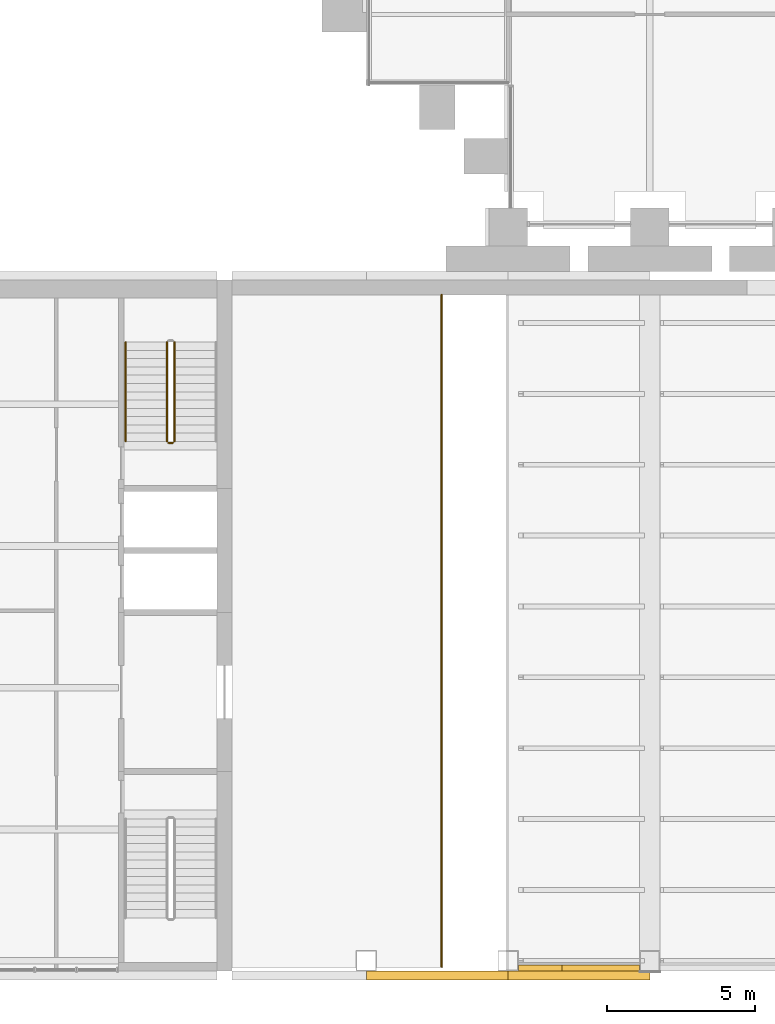
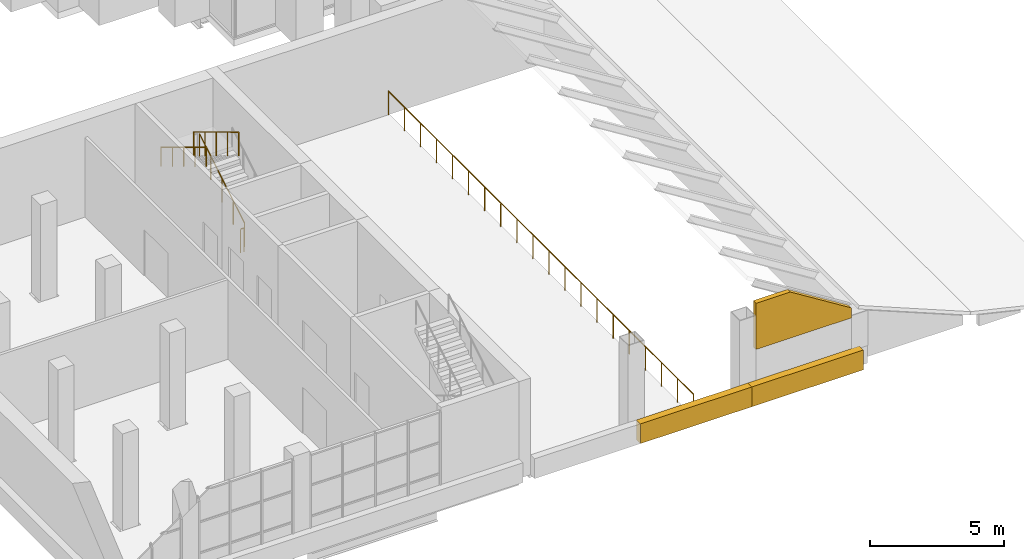
# One storey, part 27 of 32: 5 railings, 3 coverings.
"""IFC4 building model written with IfcOpenShell, lengths in metres."""

from ifc_helpers import new_model, si_unit, direction, frame, origin, origin_2d, place, context, subcontext, project, spatial, polyline, circle, outline, extrude, material, layer, layer_set, type_object, element, save


model = new_model("IFC4")

# Units and contexts
model_context = context("Model", 3, precision=1e-05, world=origin(), true_north=direction((0.0, 1.0)))
body_context = subcontext(model_context, "Body", "Model", "MODEL_VIEW")
ifc_project = project(units=[si_unit("LENGTHUNIT", "METRE"), si_unit("AREAUNIT", "SQUARE_METRE"), si_unit("VOLUMEUNIT", "CUBIC_METRE"), si_unit("PLANEANGLEUNIT", "RADIAN"), si_unit("MASSUNIT", "GRAM", prefix="KILO")], contexts=[model_context])

# Site, building, storey
site_placement = place(None, origin())
site = spatial("IfcSite", under=ifc_project, at=site_placement, CompositionType="ELEMENT")
building_placement = place(site_placement, origin())
building = spatial("IfcBuilding", under=site, at=building_placement, Name="Baori Bourse Tower", CompositionType="ELEMENT")
storey_placement = place(building_placement, frame((0.0, 0.0, 12.60009765625)))
storey = spatial("IfcBuildingStorey", under=building, at=storey_placement, Name="L01", CompositionType="ELEMENT", Elevation=12.60009765625)

# Covering
ifc_material_1 = material(Name="Pale anodised aluminium", Category="aluminium")
ifc_layer_1 = layer(ifc_material_1, 0.199951171875)
ifc_layer_set_1 = layer_set([ifc_layer_1], Name="Fascia metal band 200")
covering_type_1 = type_object("IfcCoveringType", Name="Fascia metal band 200", PredefinedType="CLADDING", material=ifc_layer_set_1)
covering_1_placement = place(storey_placement, frame((9.949951171875, -25.10009765625, 2.2998046875), z_axis=(0.0, 0.0, 1.0), x_axis=(1.0, 0.0, 0.0)))
element("IfcCovering", 1, at=covering_1_placement, inside=storey, type_object=covering_type_1, Name="wing/L01/fascia/001", PredefinedType="CLADDING", context=body_context, shape_type="SweptSolid", body=[
    extrude(outline(polyline([(0.0, 0.0), (4.10009765625, 0.0), (4.10009765625, 0.457763671875), (1.4736328125, 2.10009765625), (0.0, 2.10009765625), (0.0, 0.0)])), frame((0.0, 0.10009765625, 0.0), z_axis=(0.0, -1.0, 0.0), x_axis=(1.0, 0.0, 0.0)), (0.0, 0.0, 1.0), 0.199951171875),
])

# Railing
ifc_material_2 = material(Name="Painted steel S355", Category="steel")
railing_type_1 = type_object("IfcRailingType", Name="Gallery guard 1100", PredefinedType="GUARDRAIL", material=ifc_material_2)
railing_1_placement = place(storey_placement, frame((7.35009765625, -25.050048828125, 0.0)))
element("IfcRailing", 2, at=railing_1_placement, inside=storey, type_object=railing_type_1, Name="Gallery guard", PredefinedType="GUARDRAIL", context=body_context, shape_type="SweptSolid", body=[
    extrude(circle(Radius=0.02392578125, at=origin_2d()), frame((0.0, 0.0, 1.076171875), z_axis=(0.0, 1.0, 0.0), x_axis=(-1.0, 0.0, 0.0)), (0.0, 0.0, 1.0), 22.75),
    extrude(circle(Radius=0.02099609375, at=origin_2d()), origin(), (0.0, 0.0, 1.0), 1.052001953125),
    extrude(circle(Radius=0.02099609375, at=origin_2d()), frame((0.0, 1.197265625, 0.0)), (0.0, 0.0, 1.0), 1.052001953125),
    extrude(circle(Radius=0.02099609375, at=origin_2d()), frame((0.0, 2.394775390625, 0.0)), (0.0, 0.0, 1.0), 1.052001953125),
    extrude(circle(Radius=0.02099609375, at=origin_2d()), frame((0.0, 3.592041015625, 0.0)), (0.0, 0.0, 1.0), 1.052001953125),
    extrude(circle(Radius=0.02099609375, at=origin_2d()), frame((0.0, 4.78955078125, 0.0)), (0.0, 0.0, 1.0), 1.052001953125),
    extrude(circle(Radius=0.02099609375, at=origin_2d()), frame((0.0, 5.98681640625, 0.0)), (0.0, 0.0, 1.0), 1.052001953125),
    extrude(circle(Radius=0.02099609375, at=origin_2d()), frame((0.0, 7.184326171875, 0.0)), (0.0, 0.0, 1.0), 1.052001953125),
    extrude(circle(Radius=0.02099609375, at=origin_2d()), frame((0.0, 8.381591796875, 0.0)), (0.0, 0.0, 1.0), 1.052001953125),
    extrude(circle(Radius=0.02099609375, at=origin_2d()), frame((0.0, 9.578857421875, 0.0)), (0.0, 0.0, 1.0), 1.052001953125),
    extrude(circle(Radius=0.02099609375, at=origin_2d()), frame((0.0, 10.7763671875, 0.0)), (0.0, 0.0, 1.0), 1.052001953125),
    extrude(circle(Radius=0.02099609375, at=origin_2d()), frame((0.0, 11.9736328125, 0.0)), (0.0, 0.0, 1.0), 1.052001953125),
    extrude(circle(Radius=0.02099609375, at=origin_2d()), frame((0.0, 13.171142578125, 0.0)), (0.0, 0.0, 1.0), 1.052001953125),
    extrude(circle(Radius=0.02099609375, at=origin_2d()), frame((0.0, 14.368408203125, 0.0)), (0.0, 0.0, 1.0), 1.052001953125),
    extrude(circle(Radius=0.02099609375, at=origin_2d()), frame((0.0, 15.565673828125, 0.0)), (0.0, 0.0, 1.0), 1.052001953125),
    extrude(circle(Radius=0.02099609375, at=origin_2d()), frame((0.0, 16.76318359375, 0.0)), (0.0, 0.0, 1.0), 1.052001953125),
    extrude(circle(Radius=0.02099609375, at=origin_2d()), frame((0.0, 17.96044921875, 0.0)), (0.0, 0.0, 1.0), 1.052001953125),
    extrude(circle(Radius=0.02099609375, at=origin_2d()), frame((0.0, 19.157958984375, 0.0)), (0.0, 0.0, 1.0), 1.052001953125),
    extrude(circle(Radius=0.02099609375, at=origin_2d()), frame((0.0, 20.355224609375, 0.0)), (0.0, 0.0, 1.0), 1.052001953125),
    extrude(circle(Radius=0.02099609375, at=origin_2d()), frame((0.0, 21.552734375, 0.0)), (0.0, 0.0, 1.0), 1.052001953125),
    extrude(circle(Radius=0.02099609375, at=origin_2d()), frame((0.0, 22.75, 0.0)), (0.0, 0.0, 1.0), 1.052001953125),
])

# Coverings
ifc_material_3 = material(Name="Pale anodised aluminium", Category="aluminium")
ifc_layer_2 = layer(ifc_material_3, 0.300048828125)
ifc_layer_set_2 = layer_set([ifc_layer_2], Name="Pale metal band 900x300")
covering_type_2 = type_object("IfcCoveringType", Name="Pale metal band 900x300", PredefinedType="CLADDING", material=ifc_layer_set_2)
covering_2_placement = place(storey_placement, origin())
element("IfcCovering", 3, at=covering_2_placement, inside=storey, type_object=covering_type_2, Name="BAND", PredefinedType="CLADDING", context=body_context, shape_type="SweptSolid", body=[
    extrude(outline(polyline([(4.800048828125, -25.5), (9.60009765625, -25.5), (9.60009765625, -25.199951171875), (4.800048828125, -25.199951171875), (4.800048828125, -25.5)])), origin(), (0.0, 0.0, 1.0), 0.89990234375),
])
covering_3_placement = place(storey_placement, origin())
element("IfcCovering", 4, at=covering_3_placement, inside=storey, type_object=covering_type_2, Name="BAND", PredefinedType="CLADDING", context=body_context, shape_type="SweptSolid", body=[
    extrude(outline(polyline([(9.60009765625, -25.5), (14.39990234375, -25.5), (14.39990234375, -25.199951171875), (9.60009765625, -25.199951171875), (9.60009765625, -25.5)])), origin(), (0.0, 0.0, 1.0), 0.89990234375),
])

# Railings
ifc_material_4 = material(Name="Stainless steel AISI 316", Category="steel")
railing_type_2 = type_object("IfcRailingType", Name="Wing guard 1100", PredefinedType="GUARDRAIL", material=ifc_material_4)
railing_2_placement = place(storey_placement, frame((-1.699951171875, -7.260009765625, 0.169189453125)))
element("IfcRailing", 5, at=railing_2_placement, inside=storey, type_object=railing_type_2, Name="L01 W-STA stair guard 1", PredefinedType="GUARDRAIL", context=body_context, shape_type="SweptSolid", body=[
    extrude(circle(Radius=0.02392578125, at=origin_2d()), frame((0.0, 0.0, 1.076171875), z_axis=(0.0, 0.855836976705, 0.517245656632), x_axis=(-1.0, 0.0, 0.0)), (0.0, 0.0, 1.0), 3.926025390625),
    extrude(circle(Radius=0.02099609375, at=origin_2d()), origin(), (0.0, 0.0, 1.0), 1.052001953125),
    extrude(circle(Radius=0.02099609375, at=origin_2d()), frame((0.0, 0.840087890625, 0.5078125)), (0.0, 0.0, 1.0), 1.052001953125),
    extrude(circle(Radius=0.02099609375, at=origin_2d()), frame((0.0, 1.68017578125, 1.015380859375)), (0.0, 0.0, 1.0), 1.052001953125),
    extrude(circle(Radius=0.02099609375, at=origin_2d()), frame((0.0, 2.52001953125, 1.52294921875)), (0.0, 0.0, 1.0), 1.052001953125),
    extrude(circle(Radius=0.02099609375, at=origin_2d()), frame((0.0, 3.360107421875, 2.03076171875)), (0.0, 0.0, 1.0), 1.052001953125),
])
railing_3_placement = place(storey_placement, frame((-1.949951171875, -3.89990234375, 2.369140625)))
element("IfcRailing", 6, at=railing_3_placement, inside=storey, type_object=railing_type_2, Name="L01 W-STA stair guard 3", PredefinedType="GUARDRAIL", context=body_context, shape_type="SweptSolid", body=[
    extrude(circle(Radius=0.02392578125, at=origin_2d()), frame((0.0, 0.0, 1.076171875), z_axis=(0.0, -0.855836976705, 0.517245656632), x_axis=(1.0, 0.0, 0.0)), (0.0, 0.0, 1.0), 3.926025390625),
    extrude(circle(Radius=0.02099609375, at=origin_2d()), origin(), (0.0, 0.0, 1.0), 1.052001953125),
    extrude(circle(Radius=0.02099609375, at=origin_2d()), frame((0.0, -0.840087890625, 0.5078125)), (0.0, 0.0, 1.0), 1.052001953125),
    extrude(circle(Radius=0.02099609375, at=origin_2d()), frame((0.0, -1.68017578125, 1.015380859375)), (0.0, 0.0, 1.0), 1.052001953125),
    extrude(circle(Radius=0.02099609375, at=origin_2d()), frame((0.0, -2.52001953125, 1.52294921875)), (0.0, 0.0, 1.0), 1.052001953125),
    extrude(circle(Radius=0.02099609375, at=origin_2d()), frame((0.0, -3.360107421875, 2.03076171875)), (0.0, 0.0, 1.0), 1.052001953125),
])
railing_4_placement = place(storey_placement, frame((-1.75, -7.31005859375, 0.0)))
element("IfcRailing", 7, at=railing_4_placement, inside=storey, type_object=railing_type_2, Name="L01 W-STA stair guard 4", PredefinedType="GUARDRAIL", context=body_context, shape_type="SweptSolid", body=[
    extrude(circle(Radius=0.02392578125, at=origin_2d()), frame((0.0, 0.0, 1.076171875), z_axis=(-1.0, 0.0, 0.0), x_axis=(0.0, -1.0, 0.0)), (0.0, 0.0, 1.0), 0.14990234375),
    extrude(circle(Radius=0.02099609375, at=origin_2d()), origin(), (0.0, 0.0, 1.0), 1.052001953125),
    extrude(circle(Radius=0.02099609375, at=origin_2d()), frame((-0.14990234375, 0.0, 0.0)), (0.0, 0.0, 1.0), 1.052001953125),
])
ifc_material_5 = material(Name="Stainless steel AISI 316", Category="steel")
railing_type_3 = type_object("IfcRailingType", Name="Wing handrail 900", PredefinedType="HANDRAIL", material=ifc_material_5)
railing_5_placement = place(storey_placement, frame((-3.35009765625, -3.89990234375, 2.369140625)))
element("IfcRailing", 8, at=railing_5_placement, inside=storey, type_object=railing_type_3, Name="L01 W-STA stair handrail 2", PredefinedType="HANDRAIL", context=body_context, shape_type="SweptSolid", body=[
    extrude(circle(Radius=0.02392578125, at=origin_2d()), frame((0.0, 0.0, 0.8759765625), z_axis=(0.0, -0.855836976705, 0.517245656632), x_axis=(1.0, 0.0, 0.0)), (0.0, 0.0, 1.0), 3.926025390625),
    extrude(circle(Radius=0.02099609375, at=origin_2d()), origin(), (0.0, 0.0, 1.0), 0.851806640625),
    extrude(circle(Radius=0.02099609375, at=origin_2d()), frame((0.0, -0.840087890625, 0.5078125)), (0.0, 0.0, 1.0), 0.851806640625),
    extrude(circle(Radius=0.02099609375, at=origin_2d()), frame((0.0, -1.68017578125, 1.015380859375)), (0.0, 0.0, 1.0), 0.851806640625),
    extrude(circle(Radius=0.02099609375, at=origin_2d()), frame((0.0, -2.52001953125, 1.52294921875)), (0.0, 0.0, 1.0), 0.851806640625),
    extrude(circle(Radius=0.02099609375, at=origin_2d()), frame((0.0, -3.360107421875, 2.03076171875)), (0.0, 0.0, 1.0), 0.851806640625),
])

save(model, "model.ifc")
